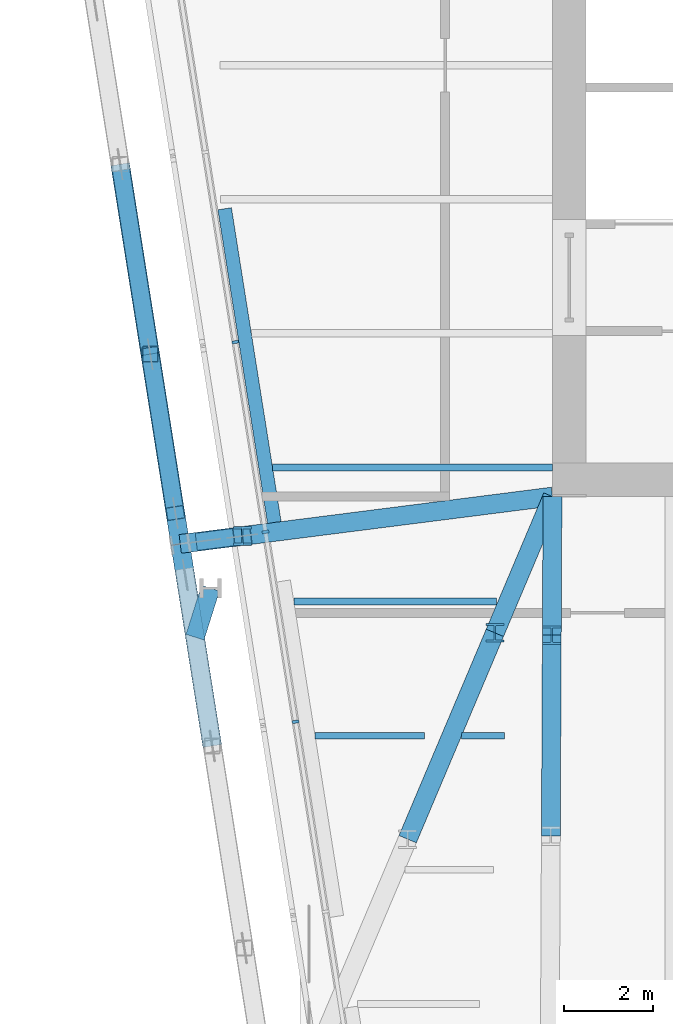
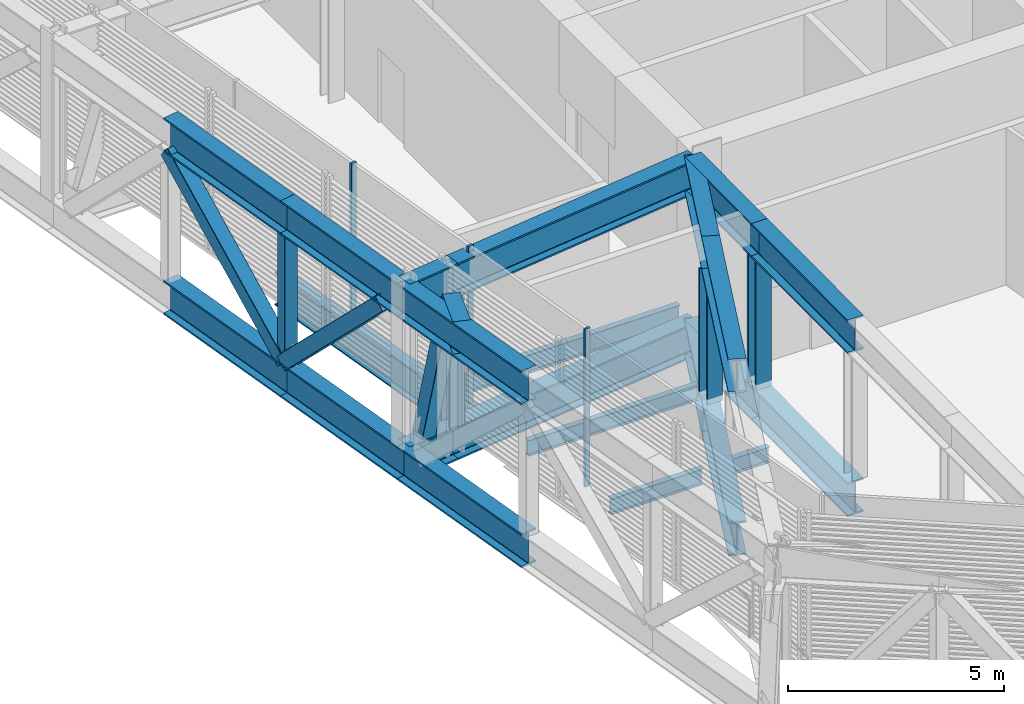
# One storey, part 4 of 32: 24 beams, 10 members, 1 element without a shape of its own.
"""IFC4 building model written with IfcOpenShell, lengths in metres."""

from ifc_helpers import new_model, si_unit, direction, frame, origin, origin_2d, place, context, subcontext, project, spatial, rectangle, hollow_rectangle, i_section, extrude, material, layer, layer_set, material_profile, profile_set, type_object, element, aggregate, save


model = new_model("IFC4")

# Units and contexts
model_context = context("Model", 3, precision=1e-05, world=origin(), true_north=direction((0.0, 1.0)))
body_context = subcontext(model_context, "Body", "Model", "MODEL_VIEW")
ifc_project = project(units=[si_unit("LENGTHUNIT", "METRE"), si_unit("AREAUNIT", "SQUARE_METRE"), si_unit("VOLUMEUNIT", "CUBIC_METRE"), si_unit("PLANEANGLEUNIT", "RADIAN"), si_unit("MASSUNIT", "GRAM", prefix="KILO")], contexts=[model_context])

# Site, building, storey
site_placement = place(None, origin())
site = spatial("IfcSite", under=ifc_project, at=site_placement, CompositionType="ELEMENT")
building_placement = place(site_placement, origin())
building = spatial("IfcBuilding", under=site, at=building_placement, Name="Millrace Tower", CompositionType="ELEMENT")
storey_placement = place(building_placement, frame((0.0, 0.0, 124.89990234375)))
storey = spatial("IfcBuildingStorey", under=building, at=storey_placement, Name="L27", CompositionType="ELEMENT", Elevation=124.89990234375)

# Curtain wall, members
ifc_material_1 = material(Name="Aluminium and glass", Category="aluminium")
ifc_layer = layer(ifc_material_1, 0.14990234375)
ifc_layer_set = layer_set([ifc_layer], Name="Aluminium and glass")
curtain_wall_type = type_object("IfcCurtainWallType", Name="CW-5 truss and plant storey louvred infill", PredefinedType="NOTDEFINED", material=ifc_layer_set)
curtain_wall_placement = place(storey_placement, origin())
curtain_wall = element("IfcCurtainWall", 1, at=curtain_wall_placement, inside=storey, type_object=curtain_wall_type, Name="Curtain wall C-F08 L27", PredefinedType="NOTDEFINED")
ifc_material_2 = material(Name="Aluminium", Category="aluminium")
ifc_material_profile_1 = material_profile(ifc_material_2, rectangle(XDim=0.06494140625, YDim=0.14990234375, at=origin_2d()))
ifc_profile_set_1 = profile_set([ifc_material_profile_1], Name="Aluminium")
member_type_1 = type_object("IfcMemberType", Name="CW-5 truss and plant storey louvred infill mullion", PredefinedType="MULLION", material=ifc_profile_set_1)
member_1_placement = place(storey_placement, frame((-21.743408203125, -6.193603515625, 0.14013671875), z_axis=(0.0, 0.0, 1.0), x_axis=(0.15643447328, -0.98768833929, 0.0)))
member_1 = element("IfcMember", 2, at=member_1_placement, type_object=member_type_1, Name="CW5 mullion C-F08.6", PredefinedType="MULLION", context=body_context, shape_type="SweptSolid", body=[
    extrude(rectangle(XDim=0.06494140625, YDim=0.14990234375, at=origin_2d()), origin(), (0.0, 0.0, 1.0), 4.4599609375),
])
member_2_placement = place(storey_placement, frame((-21.070556640625, -10.440673828125, 0.14013671875), z_axis=(0.0, 0.0, 1.0), x_axis=(0.15643447328, -0.98768833929, 0.0)))
member_2 = element("IfcMember", 3, at=member_2_placement, type_object=member_type_1, Name="CW5 mullion C-F08.7", PredefinedType="MULLION", context=body_context, shape_type="SweptSolid", body=[
    extrude(rectangle(XDim=0.06494140625, YDim=0.14990234375, at=origin_2d()), origin(), (0.0, 0.0, 1.0), 4.4599609375),
])
member_3_placement = place(storey_placement, frame((-20.39794921875, -14.687744140625, 0.14013671875), z_axis=(0.0, 0.0, 1.0), x_axis=(0.15643447328, -0.98768833929, 0.0)))
member_3 = element("IfcMember", 4, at=member_3_placement, type_object=member_type_1, Name="CW5 mullion C-F08.8", PredefinedType="MULLION", context=body_context, shape_type="SweptSolid", body=[
    extrude(rectangle(XDim=0.06494140625, YDim=0.14990234375, at=origin_2d()), origin(), (0.0, 0.0, 1.0), 4.4599609375),
])
aggregate(curtain_wall, [member_1, member_2, member_3])

# Beams
ifc_material_3 = material(Name="Steel ASTM A992 Grade 50", Category="steel")
ifc_material_profile_2 = material_profile(ifc_material_3, i_section(OverallWidth=0.15234375, OverallDepth=0.449462890625, WebThickness=0.007568359375, FlangeThickness=0.0107421875, FilletRadius=0.01025390625, at=origin_2d()))
ifc_profile_set_2 = profile_set([ifc_material_profile_2], Name="Steel ASTM A992 Grade 50")
beam_type_1 = type_object("IfcBeamType", Name="Floor beam W18x35", PredefinedType="JOIST", material=ifc_profile_set_2)
beam_1_placement = place(storey_placement, frame((-20.4365234375, -12.0, -0.384765625), z_axis=(1.0, 0.0, 0.0), x_axis=(0.0, 1.0, 0.0)))
element("IfcBeam", 5, at=beam_1_placement, inside=storey, type_object=beam_type_1, Name="BM-C-L27-S1-S008", PredefinedType="JOIST", context=body_context, shape_type="SweptSolid", body=[
    extrude(i_section(OverallWidth=0.15234375, OverallDepth=0.449462890625, WebThickness=0.007568359375, FlangeThickness=0.0107421875, FilletRadius=0.01025390625, at=origin_2d()), origin(), (0.0, 0.0, 1.0), 4.53173828125),
])
beam_2_placement = place(storey_placement, frame((-19.96142578125, -15.0, -0.384765625), z_axis=(1.0, 0.0, 0.0), x_axis=(0.0, 1.0, 0.0)))
element("IfcBeam", 6, at=beam_2_placement, inside=storey, type_object=beam_type_1, Name="BM-C-L27-S1-S006-a", PredefinedType="JOIST", context=body_context, shape_type="SweptSolid", body=[
    extrude(i_section(OverallWidth=0.15234375, OverallDepth=0.449462890625, WebThickness=0.007568359375, FlangeThickness=0.0107421875, FilletRadius=0.01025390625, at=origin_2d()), origin(), (0.0, 0.0, 1.0), 2.447998046875),
])
beam_3_placement = place(storey_placement, frame((-16.6826171875, -15.0, -0.384765625), z_axis=(1.0, 0.0, 0.0), x_axis=(0.0, 1.0, 0.0)))
element("IfcBeam", 7, at=beam_3_placement, inside=storey, type_object=beam_type_1, Name="BM-C-L27-S1-S006-b", PredefinedType="JOIST", context=body_context, shape_type="SweptSolid", body=[
    extrude(i_section(OverallWidth=0.15234375, OverallDepth=0.449462890625, WebThickness=0.007568359375, FlangeThickness=0.0107421875, FilletRadius=0.01025390625, at=origin_2d()), origin(), (0.0, 0.0, 1.0), 0.955322265625),
])
ifc_material_4 = material(Name="Steel ASTM A992 Grade 50", Category="steel")
ifc_material_profile_3 = material_profile(ifc_material_4, i_section(OverallWidth=0.1650390625, OverallDepth=0.52587890625, WebThickness=0.0087890625, FlangeThickness=0.011474609375, FilletRadius=0.0126953125, at=origin_2d()))
ifc_profile_set_3 = profile_set([ifc_material_profile_3], Name="Steel ASTM A992 Grade 50")
beam_type_2 = type_object("IfcBeamType", Name="Floor beam W21x44", PredefinedType="JOIST", material=ifc_profile_set_3)
beam_4_placement = place(storey_placement, frame((-20.91162109375, -9.0, -0.4228515625), z_axis=(1.0, 0.0, 0.0), x_axis=(0.0, 1.0, 0.0)))
element("IfcBeam", 8, at=beam_4_placement, inside=storey, type_object=beam_type_2, Name="BM-C-L27-S1-S011", PredefinedType="JOIST", context=body_context, shape_type="SweptSolid", body=[
    extrude(i_section(OverallWidth=0.1650390625, OverallDepth=0.52587890625, WebThickness=0.0087890625, FlangeThickness=0.011474609375, FilletRadius=0.0126953125, at=origin_2d()), origin(), (0.0, 0.0, 1.0), 6.26171875),
])
ifc_material_5 = material(Name="Steel ASTM A992 Grade 50", Category="steel")
ifc_material_profile_4 = material_profile(ifc_material_5, i_section(OverallWidth=0.307373046875, OverallDepth=0.927001953125, WebThickness=0.01953125, FlangeThickness=0.031982421875, FilletRadius=0.01904296875, at=origin_2d()))
ifc_profile_set_4 = profile_set([ifc_material_profile_4], Name="Steel ASTM A992 Grade 50")
beam_type_3 = type_object("IfcBeamType", Name="Ring beam short span W36x194", PredefinedType="SPANDREL", material=ifc_profile_set_4)
beam_5_placement = place(storey_placement, frame((-20.87255859375, -10.229248046875, -0.62353515625), z_axis=(-0.156437175948, 0.987687911226, 0.0), x_axis=(-0.987687911226, -0.156437175948, 0.0)))
element("IfcBeam", 9, at=beam_5_placement, inside=storey, type_object=beam_type_3, Name="RNG-C-L27-S1-02-a", PredefinedType="SPANDREL", context=body_context, shape_type="SweptSolid", body=[
    extrude(i_section(OverallWidth=0.307373046875, OverallDepth=0.927001953125, WebThickness=0.01953125, FlangeThickness=0.031982421875, FilletRadius=0.01904296875, at=origin_2d()), origin(), (0.0, 0.0, 1.0), 7.10546875),
])

# Members
ifc_material_6 = material(Name="Steel ASTM A992 Grade 50", Category="steel")
ifc_material_profile_5 = material_profile(ifc_material_6, i_section(OverallWidth=0.406494140625, OverallDepth=0.41650390625, WebThickness=0.030029296875, FlangeThickness=0.048095703125, FilletRadius=0.01513671875, at=origin_2d()))
ifc_profile_set_5 = profile_set([ifc_material_profile_5], Name="Steel ASTM A992 Grade 50")
member_type_2 = type_object("IfcMemberType", Name="Transfer truss Vierendeel moment post W14x257", PredefinedType="POST", material=ifc_profile_set_5)
for number, where, z_axis, x_axis, name in (
    (10, (-15.938720703125, -12.698974609375, -0.159912109375), (0.0, 0.0, 1.0), (1.0, 0.0, 0.0), "TRS-L27-C01-V03"),
    (11, (-14.664794921875, -12.75, -0.159912109375), (0.0, 0.0, 1.0), (1.0, 0.0, 0.0), "TRS-L27-C02-V04"),
    (12, (-21.588134765625, -10.532958984375, -0.159912109375), (0.0, 0.0, 1.0), (1.0, 0.0, 0.0), "TRS-L27-C16-V01"),
):
    element("IfcMember", number, at=place(storey_placement, frame(where, z_axis=z_axis, x_axis=x_axis)), inside=storey, type_object=member_type_2, Name=name, PredefinedType="POST", context=body_context, shape_type="SweptSolid", body=[
        extrude(i_section(OverallWidth=0.406494140625, OverallDepth=0.41650390625, WebThickness=0.030029296875, FlangeThickness=0.048095703125, FilletRadius=0.01513671875, at=origin_2d()), origin(), (0.0, 0.0, 1.0), 3.642333984375),
    ])

# Beams
ifc_material_7 = material(Name="Steel ASTM A992 Grade 50", Category="steel")
ifc_material_profile_6 = material_profile(ifc_material_7, i_section(OverallWidth=0.421630859375, OverallDepth=0.95751953125, WebThickness=0.02587890625, FlangeThickness=0.046875, FilletRadius=0.024169921875, at=origin_2d()))
ifc_profile_set_6 = profile_set([ifc_material_profile_6], Name="Steel ASTM A992 Grade 50")
beam_type_4 = type_object("IfcBeamType", Name="Transfer truss chord W36x330", PredefinedType="BEAM", material=ifc_profile_set_6)
for number, where, z_axis, x_axis, name in (
    (13, (-24.322265625, -2.215576171875, -0.638671875), (0.15642030113, -0.987690583834, 0.0), (0.987690583834, 0.15642030113, 0.0), "TRS-L27-R15-B02"),
    (14, (-24.322265625, -2.215576171875, 3.96142578125), (0.15642030113, -0.987690583834, 0.0), (0.987690583834, 0.15642030113, 0.0), "TRS-L27-R15-T02"),
    (15, (-23.649658203125, -6.462646484375, -0.638671875), (0.15642030113, -0.987690583834, 0.0), (0.987690583834, 0.15642030113, 0.0), "TRS-L27-R15-B03"),
    (16, (-23.649658203125, -6.462646484375, 3.96142578125), (0.15642030113, -0.987690583834, 0.0), (0.987690583834, 0.15642030113, 0.0), "TRS-L27-R15-T03"),
):
    element("IfcBeam", number, at=place(storey_placement, frame(where, z_axis=z_axis, x_axis=x_axis)), inside=storey, type_object=beam_type_4, Name=name, PredefinedType="BEAM", context=body_context, shape_type="SweptSolid", body=[
        extrude(i_section(OverallWidth=0.421630859375, OverallDepth=0.95751953125, WebThickness=0.02587890625, FlangeThickness=0.046875, FilletRadius=0.024169921875, at=origin_2d()), origin(), (0.0, 0.0, 1.0), 4.300048828125),
    ])
for number, where, z_axis, x_axis, name in (
    (17, (-22.97705078125, -10.709716796875, -0.638671875), (0.156425557764, -0.987689751328, 0.0), (0.987689751328, 0.156425557764, 0.0), "TRS-L27-R16-B01"),
    (18, (-22.97705078125, -10.709716796875, 3.96142578125), (0.156425557764, -0.987689751328, 0.0), (0.987689751328, 0.156425557764, 0.0), "TRS-L27-R16-T01"),
):
    element("IfcBeam", number, at=place(storey_placement, frame(where, z_axis=z_axis, x_axis=x_axis)), inside=storey, type_object=beam_type_4, Name=name, PredefinedType="BEAM", context=body_context, shape_type="SweptSolid", body=[
        extrude(i_section(OverallWidth=0.421630859375, OverallDepth=0.95751953125, WebThickness=0.02587890625, FlangeThickness=0.046875, FilletRadius=0.024169921875, at=origin_2d()), origin(), (0.0, 0.0, 1.0), 4.576171875),
    ])
for number, where, z_axis, x_axis, name in (
    (19, (-17.889892578125, -17.31494140625, -0.638671875), (0.389345957699, 0.921091594372, 0.0), (-0.921091594372, 0.389345957699, 0.0), "TRS-L27-C01-B03"),
    (20, (-17.889892578125, -17.31494140625, 3.96142578125), (0.389345957699, 0.921091594372, 0.0), (-0.921091594372, 0.389345957699, 0.0), "TRS-L27-C01-T03"),
):
    element("IfcBeam", number, at=place(storey_placement, frame(where, z_axis=z_axis, x_axis=x_axis)), inside=storey, type_object=beam_type_4, Name=name, PredefinedType="BEAM", context=body_context, shape_type="SweptSolid", body=[
        extrude(i_section(OverallWidth=0.421630859375, OverallDepth=0.95751953125, WebThickness=0.02587890625, FlangeThickness=0.046875, FilletRadius=0.024169921875, at=origin_2d()), origin(), (0.0, 0.0, 1.0), 5.011474609375),
    ])
for number, where, z_axis, x_axis, name in (
    (21, (-15.938720703125, -12.698974609375, -0.638671875), (0.389339222901, 0.921094441146, 0.0), (-0.921094441146, 0.389339222901, 0.0), "TRS-L27-C01-B04"),
    (22, (-15.938720703125, -12.698974609375, 3.96142578125), (0.389339222901, 0.921094441146, 0.0), (-0.921094441146, 0.389339222901, 0.0), "TRS-L27-C01-T04"),
):
    element("IfcBeam", number, at=place(storey_placement, frame(where, z_axis=z_axis, x_axis=x_axis)), inside=storey, type_object=beam_type_4, Name=name, PredefinedType="BEAM", context=body_context, shape_type="SweptSolid", body=[
        extrude(i_section(OverallWidth=0.421630859375, OverallDepth=0.95751953125, WebThickness=0.02587890625, FlangeThickness=0.046875, FilletRadius=0.024169921875, at=origin_2d()), origin(), (0.0, 0.0, 1.0), 3.310302734375),
    ])
for number, where, z_axis, x_axis, name in (
    (23, (-14.686279296875, -17.24267578125, -0.638671875), (0.004782034225, 0.999988566009, 0.0), (-0.999988566009, 0.004782034225, 0.0), "TRS-L27-C02-B04"),
    (24, (-14.686279296875, -17.24267578125, 3.96142578125), (0.004782034225, 0.999988566009, 0.0), (-0.999988566009, 0.004782034225, 0.0), "TRS-L27-C02-T04"),
):
    element("IfcBeam", number, at=place(storey_placement, frame(where, z_axis=z_axis, x_axis=x_axis)), inside=storey, type_object=beam_type_4, Name=name, PredefinedType="BEAM", context=body_context, shape_type="SweptSolid", body=[
        extrude(i_section(OverallWidth=0.421630859375, OverallDepth=0.95751953125, WebThickness=0.02587890625, FlangeThickness=0.046875, FilletRadius=0.024169921875, at=origin_2d()), origin(), (0.0, 0.0, 1.0), 4.49267578125),
    ])
for number, where, z_axis, x_axis, name in (
    (25, (-14.664794921875, -12.75, -0.638671875), (0.004803850697, 0.999988461443, 0.0), (-0.999988461443, 0.004803850697, 0.0), "TRS-L27-C02-B05"),
    (26, (-14.664794921875, -12.75, 3.96142578125), (0.004803850697, 0.999988461443, 0.0), (-0.999988461443, 0.004803850697, 0.0), "TRS-L27-C02-T05"),
):
    element("IfcBeam", number, at=place(storey_placement, frame(where, z_axis=z_axis, x_axis=x_axis)), inside=storey, type_object=beam_type_4, Name=name, PredefinedType="BEAM", context=body_context, shape_type="SweptSolid", body=[
        extrude(i_section(OverallWidth=0.421630859375, OverallDepth=0.95751953125, WebThickness=0.02587890625, FlangeThickness=0.046875, FilletRadius=0.024169921875, at=origin_2d()), origin(), (0.0, 0.0, 1.0), 3.10009765625),
    ])
for number, where, z_axis, x_axis, name in (
    (27, (-22.97705078125, -10.709716796875, -0.638671875), (0.991999102896, 0.126244920108, 0.0), (-0.126244920108, 0.991999102896, 0.0), "TRS-L27-C16-B01"),
    (28, (-22.97705078125, -10.709716796875, 3.96142578125), (0.991999102896, 0.126244920108, 0.0), (-0.126244920108, 0.991999102896, 0.0), "TRS-L27-C16-T01"),
):
    element("IfcBeam", number, at=place(storey_placement, frame(where, z_axis=z_axis, x_axis=x_axis)), inside=storey, type_object=beam_type_4, Name=name, PredefinedType="BEAM", context=body_context, shape_type="SweptSolid", body=[
        extrude(i_section(OverallWidth=0.421630859375, OverallDepth=0.95751953125, WebThickness=0.02587890625, FlangeThickness=0.046875, FilletRadius=0.024169921875, at=origin_2d()), origin(), (0.0, 0.0, 1.0), 1.400146484375),
    ])
for number, where, z_axis, x_axis, name in (
    (29, (-21.588134765625, -10.532958984375, -0.638671875), (0.991997752749, 0.126255528755, 0.0), (-0.126255528755, 0.991997752749, 0.0), "TRS-L27-C16-B02"),
    (30, (-21.588134765625, -10.532958984375, 3.96142578125), (0.991997752749, 0.126255528755, 0.0), (-0.126255528755, 0.991997752749, 0.0), "TRS-L27-C16-T02"),
):
    element("IfcBeam", number, at=place(storey_placement, frame(where, z_axis=z_axis, x_axis=x_axis)), inside=storey, type_object=beam_type_4, Name=name, PredefinedType="BEAM", context=body_context, shape_type="SweptSolid", body=[
        extrude(i_section(OverallWidth=0.421630859375, OverallDepth=0.95751953125, WebThickness=0.02587890625, FlangeThickness=0.046875, FilletRadius=0.024169921875, at=origin_2d()), origin(), (0.0, 0.0, 1.0), 6.994140625),
    ])
beam_6_placement = place(storey_placement, frame((-22.300048828125, -11.699951171875, 3.96142578125), z_axis=(-0.301660005243, -0.953415565867, 0.0), x_axis=(0.953415565867, -0.301660005243, 0.0)))
element("IfcBeam", 31, at=beam_6_placement, inside=storey, type_object=beam_type_4, Name="TRS-L27-B-X16-TIE", PredefinedType="BEAM", context=body_context, shape_type="SweptSolid", body=[
    extrude(i_section(OverallWidth=0.421630859375, OverallDepth=0.95751953125, WebThickness=0.02587890625, FlangeThickness=0.046875, FilletRadius=0.024169921875, at=origin_2d()), origin(), (0.0, 0.0, 1.0), 1.149169921875),
])

# Members
ifc_material_8 = material(Name="Steel ASTM A500 Grade C", Category="steel")
ifc_material_profile_7 = material_profile(ifc_material_8, hollow_rectangle(XDim=0.406494140625, YDim=0.406494140625, WallThickness=0.0126953125, InnerFilletRadius=0.00634765625, OuterFilletRadius=0.01904296875, at=origin_2d()))
ifc_profile_set_7 = profile_set([ifc_material_profile_7], Name="Steel ASTM A500 Grade C")
member_type_3 = type_object("IfcMemberType", Name="Transfer truss diagonal HSS16x16x1/2", PredefinedType="BRACE", material=ifc_profile_set_7)
member_4_placement = place(storey_placement, frame((-23.649658203125, -6.462646484375, -0.159912109375), z_axis=(-0.119356102734, 0.753654723467, 0.64634253963), x_axis=(-0.987690583834, -0.15642030113, 0.0)))
element("IfcMember", 32, at=member_4_placement, inside=storey, type_object=member_type_3, Name="TRS-L27-R15-D02", PredefinedType="BRACE", context=body_context, shape_type="SweptSolid", body=[
    extrude(hollow_rectangle(XDim=0.406494140625, YDim=0.406494140625, WallThickness=0.0126953125, InnerFilletRadius=0.00634765625, OuterFilletRadius=0.01904296875, at=origin_2d()), origin(), (0.0, 0.0, 1.0), 5.63525390625),
])
member_5_placement = place(storey_placement, frame((-23.649658203125, -6.462646484375, -0.159912109375), z_axis=(0.10993370024, -0.694308070378, 0.711231948776), x_axis=(0.9876957895, 0.156387427258, 0.0)))
element("IfcMember", 33, at=member_5_placement, inside=storey, type_object=member_type_3, Name="TRS-L27-R15-D03", PredefinedType="BRACE", context=body_context, shape_type="SweptSolid", body=[
    extrude(hollow_rectangle(XDim=0.406494140625, YDim=0.406494140625, WallThickness=0.0126953125, InnerFilletRadius=0.00634765625, OuterFilletRadius=0.01904296875, at=origin_2d()), origin(), (0.0, 0.0, 1.0), 5.12109375),
])
member_6_placement = place(storey_placement, frame((-22.421630859375, -10.638916015625, -0.159912109375), z_axis=(0.222979992254, 0.028346021277, 0.974410809737), x_axis=(-0.126108708206, 0.992016428148, 0.0)))
element("IfcMember", 34, at=member_6_placement, inside=storey, type_object=member_type_3, Name="TRS-L27-C16-D01", PredefinedType="BRACE", context=body_context, shape_type="SweptSolid", body=[
    extrude(hollow_rectangle(XDim=0.406494140625, YDim=0.406494140625, WallThickness=0.0126953125, InnerFilletRadius=0.00634765625, OuterFilletRadius=0.01904296875, at=origin_2d()), origin(), (0.0, 0.0, 1.0), 3.738037109375),
])
ifc_material_9 = material(Name="Steel ASTM A500 Grade C", Category="steel")
ifc_material_profile_8 = material_profile(ifc_material_9, hollow_rectangle(XDim=0.355712890625, YDim=0.355712890625, WallThickness=0.015869140625, InnerFilletRadius=0.008056640625, OuterFilletRadius=0.02392578125, at=origin_2d()))
ifc_profile_set_8 = profile_set([ifc_material_profile_8], Name="Steel ASTM A500 Grade C")
member_type_4 = type_object("IfcMemberType", Name="Transfer truss post HSS14x14x5/8", PredefinedType="POST", material=ifc_profile_set_8)
member_7_placement = place(storey_placement, frame((-23.649658203125, -6.462646484375, -0.159912109375), z_axis=(0.0, 0.0, 1.0), x_axis=(1.0, 0.0, 0.0)))
element("IfcMember", 35, at=member_7_placement, inside=storey, type_object=member_type_4, Name="TRS-L27-R15-V02", PredefinedType="POST", context=body_context, shape_type="SweptSolid", body=[
    extrude(hollow_rectangle(XDim=0.355712890625, YDim=0.355712890625, WallThickness=0.015869140625, InnerFilletRadius=0.008056640625, OuterFilletRadius=0.02392578125, at=origin_2d()), origin(), (0.0, 0.0, 1.0), 3.642333984375),
])

save(model, "model.ifc")
